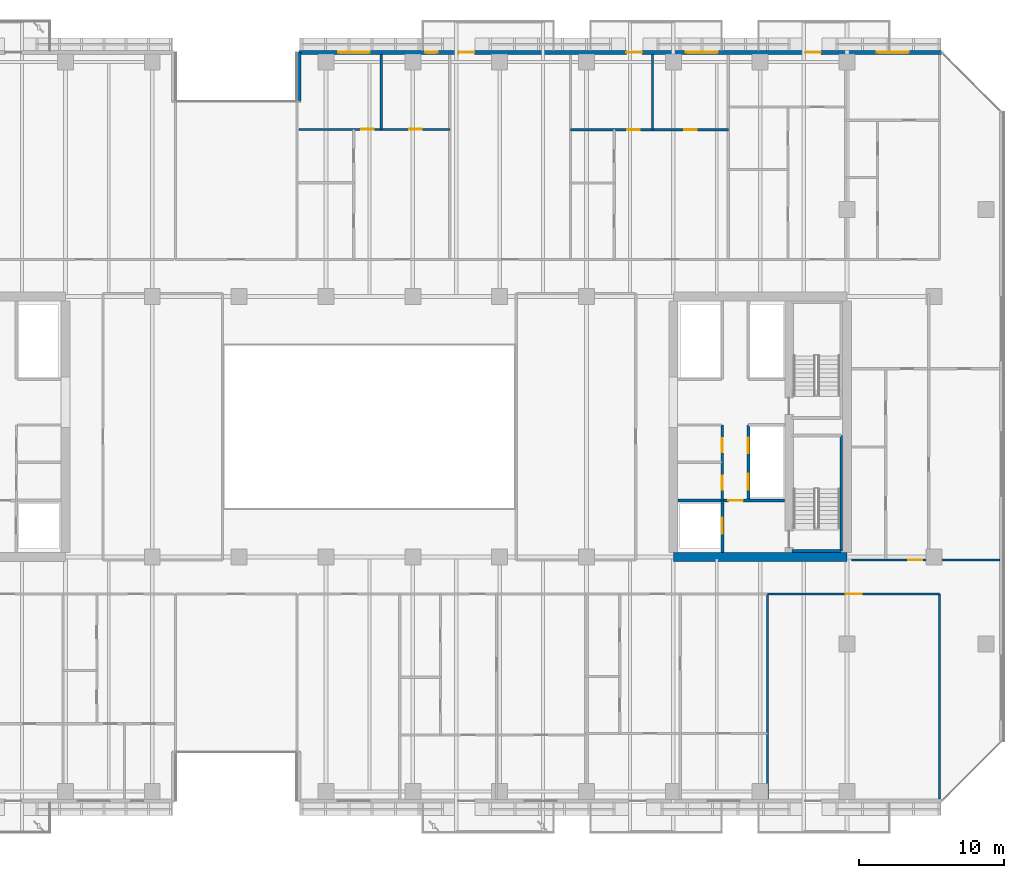
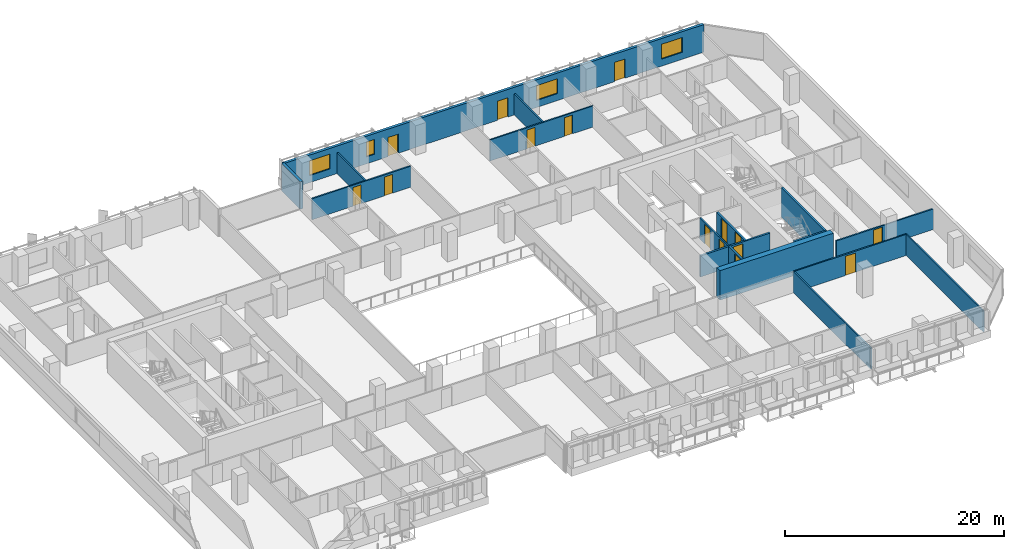
# One storey, part 23 of 34: 17 walls, 15 doors, 4 windows, 19 openings.
"""IFC4 building model written with IfcOpenShell, lengths in metres."""

from ifc_helpers import new_model, si_unit, direction, frame, frame_2d, origin, place, context, subcontext, project, spatial, rectangle, extrude, material, layer, layer_set, type_object, element, fill, save


model = new_model("IFC4")

# Units and contexts
model_context = context("Model", 3, precision=1e-05, world=origin(), true_north=direction((0.0, 1.0)))
body_context = subcontext(model_context, "Body", "Model", "MODEL_VIEW")
ifc_project = project(units=[si_unit("LENGTHUNIT", "METRE"), si_unit("AREAUNIT", "SQUARE_METRE"), si_unit("VOLUMEUNIT", "CUBIC_METRE"), si_unit("PLANEANGLEUNIT", "RADIAN"), si_unit("MASSUNIT", "GRAM", prefix="KILO")], contexts=[model_context])

# Site, building, storey
site_placement = place(None, origin())
site = spatial("IfcSite", under=ifc_project, at=site_placement, CompositionType="ELEMENT")
building_placement = place(site_placement, origin())
building = spatial("IfcBuilding", under=site, at=building_placement, Name="Tanjung Sevakor Pilgrim Tower", CompositionType="ELEMENT")
storey_placement = place(building_placement, frame((0.0, 0.0, 55.43994140625)))
storey = spatial("IfcBuildingStorey", under=building, at=storey_placement, Name="L15", CompositionType="ELEMENT", Elevation=55.43994140625)

# Wall
ifc_material_1 = material(Name="Concrete C60/75", Category="concrete")
ifc_layer_1 = layer(ifc_material_1, 0.60009765625)
ifc_layer_set_1 = layer_set([ifc_layer_1], Name="WALL-CW-600")
wall_type_1 = type_object("IfcWallType", Name="WALL-CW-600", PredefinedType="SHEAR", material=ifc_layer_set_1)
wall_1_placement = place(storey_placement, frame((78.0, 24.60009765625, 0.0), z_axis=(0.0, 0.0, 1.0), x_axis=(1.0, 0.0, 0.0)))
element("IfcWall", 1, at=wall_1_placement, inside=storey, type_object=wall_type_1, Name="L15 E Core South Shear Wall", PredefinedType="SHEAR", context=body_context, shape_type="SweptSolid", body=[
    extrude(rectangle(XDim=12.0, YDim=0.60009765625, at=frame_2d((6.0, 0.0))), origin(), (0.0, 0.0, 1.0), 3.300048828125),
])

# Wall, openings, doors
ifc_material_2 = material(Name="Concrete C40/50", Category="concrete")
ifc_layer_2 = layer(ifc_material_2, 0.14990234375)
ifc_layer_set_2 = layer_set([ifc_layer_2], Name="WT-COMP-150")
wall_type_2 = type_object("IfcWallType", Name="WT-COMP-150", PredefinedType="SOLIDWALL", material=ifc_layer_set_2)
wall_2_placement = place(storey_placement, frame((81.3798828125, 28.5, 0.0), z_axis=(0.0, 0.0, 1.0), x_axis=(0.0, 1.0, 0.0)))
wall_2 = element("IfcWall", 2, at=wall_2_placement, inside=storey, type_object=wall_type_2, Name="L15 Partition IW-L15-018", PredefinedType="SOLIDWALL", context=body_context, shape_type="SweptSolid", body=[
    extrude(rectangle(XDim=5.219970703125, YDim=0.14990234375, at=frame_2d((2.60986328125, 0.0))), origin(), (0.0, 0.0, 1.0), 2.35009765625),
])
opening_1_placement = place(wall_2_placement, frame((0.75, 0.0, 0.0)))
opening_1 = element("IfcOpeningElement", 3, at=opening_1_placement, cuts=wall_2, Name="Opening ID-FD2", PredefinedType="OPENING", context=body_context, shape_type="SweptSolid", body=[
    extrude(rectangle(XDim=0.949951171875, YDim=2.14990234375, at=frame_2d((0.47509765625, 1.074951171875))), frame((0.0, 0.0849609375, 0.0), z_axis=(0.0, -1.0, 0.0), x_axis=(1.0, 0.0, 0.0)), (0.0, 0.0, 1.0), 0.169921875),
])
opening_2_placement = place(wall_2_placement, frame((3.35009765625, 0.0, 0.0)))
opening_2 = element("IfcOpeningElement", 4, at=opening_2_placement, cuts=wall_2, Name="Opening ID-FD2", PredefinedType="OPENING", context=body_context, shape_type="SweptSolid", body=[
    extrude(rectangle(XDim=0.949951171875, YDim=2.14990234375, at=frame_2d((0.47509765625, 1.074951171875))), frame((0.0, 0.0849609375, 0.0), z_axis=(0.0, -1.0, 0.0), x_axis=(1.0, 0.0, 0.0)), (0.0, 0.0, 1.0), 0.169921875),
])
ifc_material_3 = material(Name="Fire-Rated Timber", Category="wood")
door_type_1 = type_object("IfcDoorType", Name="DT-FIRE-950", OperationType="NOTDEFINED", PredefinedType="DOOR", material=ifc_material_3)
door_1_placement = place(opening_1_placement, origin())
door_1 = element("IfcDoor", 5, at=door_1_placement, inside=storey, type_object=door_type_1, Name="L15 Accessible WC Door", OperationType="SINGLE_SWING_LEFT", OverallHeight=2.14990234375, OverallWidth=0.949951171875, PredefinedType="DOOR", context=body_context, shape_type="SweptSolid", body=[
    extrude(rectangle(XDim=0.949951171875, YDim=2.14990234375, at=frame_2d((0.47509765625, 1.074951171875))), frame((0.0, 0.02490234375, 0.0), z_axis=(0.0, -1.0, 0.0), x_axis=(1.0, 0.0, 0.0)), (0.0, 0.0, 1.0), 0.050048828125),
])
fill(opening_1, door_1)
door_2_placement = place(opening_2_placement, origin())
door_2 = element("IfcDoor", 6, at=door_2_placement, inside=storey, type_object=door_type_1, Name="L15 Core Service Door", OperationType="SINGLE_SWING_RIGHT", OverallHeight=2.14990234375, OverallWidth=0.949951171875, PredefinedType="DOOR", context=body_context, shape_type="SweptSolid", body=[
    extrude(rectangle(XDim=0.949951171875, YDim=2.14990234375, at=frame_2d((0.47509765625, 1.074951171875))), frame((0.0, 0.02490234375, 0.0), z_axis=(0.0, -1.0, 0.0), x_axis=(1.0, 0.0, 0.0)), (0.0, 0.0, 1.0), 0.050048828125),
])
fill(opening_2, door_2)

# Wall, opening, door
wall_3_placement = place(storey_placement, frame((90.320068359375, 24.39990234375, 0.0), z_axis=(0.0, 0.0, 1.0), x_axis=(1.0, 0.0, 0.0)))
wall_3 = element("IfcWall", 7, at=wall_3_placement, inside=storey, type_object=wall_type_2, Name="L15 Partition IW-L15-037", PredefinedType="SOLIDWALL", context=body_context, shape_type="SweptSolid", body=[
    extrude(rectangle(XDim=10.239990234375, YDim=0.14990234375, at=frame_2d((5.1201171875, 0.0))), origin(), (0.0, 0.0, 1.0), 2.295166015625),
])
opening_3_placement = place(wall_3_placement, frame((3.91259765625, 0.0, 0.0)))
opening_3 = element("IfcOpeningElement", 8, at=opening_3_placement, cuts=wall_3, Name="Opening ID-FD2", PredefinedType="OPENING", context=body_context, shape_type="SweptSolid", body=[
    extrude(rectangle(XDim=0.949951171875, YDim=2.14990234375, at=frame_2d((0.47509765625, 1.074951171875))), frame((0.0, 0.0849609375, 0.0), z_axis=(0.0, -1.0, 0.0), x_axis=(1.0, 0.0, 0.0)), (0.0, 0.0, 1.0), 0.169921875),
])
door_3_placement = place(opening_3_placement, origin())
door_3 = element("IfcDoor", 9, at=door_3_placement, inside=storey, type_object=door_type_1, Name="Suite Entrance", OperationType="SINGLE_SWING_LEFT", OverallHeight=2.14990234375, OverallWidth=0.949951171875, PredefinedType="DOOR", context=body_context, shape_type="SweptSolid", body=[
    extrude(rectangle(XDim=0.949951171875, YDim=2.14990234375, at=frame_2d((0.47509765625, 1.074951171875))), frame((0.0, 0.02490234375, 0.0), z_axis=(0.0, -1.0, 0.0), x_axis=(1.0, 0.0, 0.0)), (0.0, 0.0, 1.0), 0.050048828125),
])
fill(opening_3, door_3)

# Walls
for number, where, z_axis, x_axis, name in (
    (10, (96.39990234375, 7.8798828125, 0.0), (0.0, 0.0, 1.0), (0.0, 1.0, 0.0), "L15 Partition IW-L15-058"),
    (11, (84.50634765625, 7.8798828125, 0.0), (0.0, 0.0, 1.0), (0.0, 1.0, 0.0), "L15 Partition IW-L15-068"),
):
    element("IfcWall", number, at=place(storey_placement, frame(where, z_axis=z_axis, x_axis=x_axis)), inside=storey, type_object=wall_type_2, Name=name, PredefinedType="SOLIDWALL", context=body_context, shape_type="SweptSolid", body=[
        extrude(rectangle(XDim=14.170166015625, YDim=0.14990234375, at=frame_2d((7.0849609375, 0.0))), origin(), (0.0, 0.0, 1.0), 2.35009765625),
    ])

# Wall, opening, door
wall_4_placement = place(storey_placement, frame((84.50634765625, 22.050048828125, 0.0), z_axis=(0.0, 0.0, 1.0), x_axis=(1.0, 0.0, 0.0)))
wall_4 = element("IfcWall", 12, at=wall_4_placement, inside=storey, type_object=wall_type_2, Name="L15 Partition IW-L15-075", PredefinedType="SOLIDWALL", context=body_context, shape_type="SweptSolid", body=[
    extrude(rectangle(XDim=11.8935546875, YDim=0.14990234375, at=frame_2d((5.94677734375, 0.0))), origin(), (0.0, 0.0, 1.0), 2.35009765625),
])
opening_4_placement = place(wall_4_placement, frame((5.396728515625, 0.0, 0.0)))
opening_4 = element("IfcOpeningElement", 13, at=opening_4_placement, cuts=wall_4, Name="Opening ID-FD0", PredefinedType="OPENING", context=body_context, shape_type="SweptSolid", body=[
    extrude(rectangle(XDim=1.10009765625, YDim=2.14990234375, at=frame_2d((0.550048828125, 1.074951171875))), frame((0.0, 0.0849609375, 0.0), z_axis=(0.0, -1.0, 0.0), x_axis=(1.0, 0.0, 0.0)), (0.0, 0.0, 1.0), 0.169921875),
])
ifc_material_4 = material(Name="Fire-Rated Steel S355J2", Category="steel")
door_type_2 = type_object("IfcDoorType", Name="DT-FIRE-1100", OperationType="NOTDEFINED", PredefinedType="DOOR", material=ifc_material_4)
door_4_placement = place(opening_4_placement, origin())
door_4 = element("IfcDoor", 14, at=door_4_placement, inside=storey, type_object=door_type_2, Name="Communal Lounge Door", OperationType="SINGLE_SWING_RIGHT", OverallHeight=2.14990234375, OverallWidth=1.10009765625, PredefinedType="DOOR", context=body_context, shape_type="SweptSolid", body=[
    extrude(rectangle(XDim=1.10009765625, YDim=2.14990234375, at=frame_2d((0.550048828125, 1.074951171875))), frame((0.0, 0.02490234375, 0.0), z_axis=(0.0, -1.0, 0.0), x_axis=(1.0, 0.0, 0.0)), (0.0, 0.0, 1.0), 0.050048828125),
])
fill(opening_4, door_4)

# Wall, openings, doors, windows
ifc_material_5 = material(Name="Precast concrete C45/55", Category="concrete")
ifc_layer_3 = layer(ifc_material_5, 0.280029296875)
ifc_layer_set_3 = layer_set([ifc_layer_3], Name="WT-EW-STN2")
wall_type_3 = type_object("IfcWallType", Name="WT-EW-STN2", PredefinedType="SOLIDWALL", material=ifc_layer_set_3)
wall_5_placement = place(storey_placement, frame((96.5419921875, 59.4599609375, 0.0), z_axis=(0.0, 0.0, 1.0), x_axis=(-1.0, 0.0, 0.0)))
wall_5 = element("IfcWall", 15, at=wall_5_placement, inside=storey, type_object=wall_type_3, Name="L15 MAIN Exterior Wall 9", PredefinedType="SOLIDWALL", context=body_context, shape_type="SweptSolid", body=[
    extrude(rectangle(XDim=44.402099609375, YDim=0.280029296875, at=frame_2d((22.201171875, 0.0))), origin(), (0.0, 0.0, 1.0), 3.080078125),
])
opening_5_placement = place(wall_5_placement, frame((32.2919921875, 0.0, 0.0)))
opening_5 = element("IfcOpeningElement", 16, at=opening_5_placement, cuts=wall_5, Name="Opening ED-BAL-1100", PredefinedType="OPENING", context=body_context, shape_type="SweptSolid", body=[
    extrude(rectangle(XDim=1.10009765625, YDim=2.14990234375, at=frame_2d((0.550048828125, 1.074951171875))), frame((0.0, 0.14990234375, 0.0), z_axis=(0.0, -1.0, 0.0), x_axis=(1.0, 0.0, 0.0)), (0.0, 0.0, 1.0), 0.300048828125),
])
opening_6_placement = place(wall_5_placement, frame((20.69189453125, 0.0, 0.0)))
opening_6 = element("IfcOpeningElement", 17, at=opening_6_placement, cuts=wall_5, Name="Opening ED-BAL-1100", PredefinedType="OPENING", context=body_context, shape_type="SweptSolid", body=[
    extrude(rectangle(XDim=1.10009765625, YDim=2.14990234375, at=frame_2d((0.550048828125, 1.074951171875))), frame((0.0, 0.14990234375, 0.0), z_axis=(0.0, -1.0, 0.0), x_axis=(1.0, 0.0, 0.0)), (0.0, 0.0, 1.0), 0.300048828125),
])
opening_7_placement = place(wall_5_placement, frame((8.342041015625, 0.0, 0.0)))
opening_7 = element("IfcOpeningElement", 18, at=opening_7_placement, cuts=wall_5, Name="Opening ED-BAL-1100", PredefinedType="OPENING", context=body_context, shape_type="SweptSolid", body=[
    extrude(rectangle(XDim=1.10009765625, YDim=2.14990234375, at=frame_2d((0.550048828125, 1.074951171875))), frame((0.0, 0.14990234375, 0.0), z_axis=(0.0, -1.0, 0.0), x_axis=(1.0, 0.0, 0.0)), (0.0, 0.0, 1.0), 0.300048828125),
])
opening_8_placement = place(wall_5_placement, frame((39.501953125, 0.0, 0.780029296875)))
opening_8 = element("IfcOpeningElement", 19, at=opening_8_placement, cuts=wall_5, Name="Opening WN-Z1-1660", PredefinedType="OPENING", context=body_context, shape_type="SweptSolid", body=[
    extrude(rectangle(XDim=2.199951171875, YDim=1.659912109375, at=frame_2d((1.10009765625, 0.830078125))), frame((0.0, 0.14990234375, 0.0), z_axis=(0.0, -1.0, 0.0), x_axis=(1.0, 0.0, 0.0)), (0.0, 0.0, 1.0), 0.300048828125),
])
opening_9_placement = place(wall_5_placement, frame((34.82080078125, 0.0, 0.780029296875)))
opening_9 = element("IfcOpeningElement", 20, at=opening_9_placement, cuts=wall_5, Name="Opening WN-SLM", PredefinedType="OPENING", context=body_context, shape_type="SweptSolid", body=[
    extrude(rectangle(XDim=0.85009765625, YDim=1.64990234375, at=frame_2d((0.425048828125, 0.824951171875))), frame((0.0, 0.14990234375, 0.0), z_axis=(0.0, -1.0, 0.0), x_axis=(1.0, 0.0, 0.0)), (0.0, 0.0, 1.0), 0.300048828125),
])
opening_10_placement = place(wall_5_placement, frame((15.472412109375, 0.0, 0.780029296875)))
opening_10 = element("IfcOpeningElement", 21, at=opening_10_placement, cuts=wall_5, Name="Opening WN-Z1-1660", PredefinedType="OPENING", context=body_context, shape_type="SweptSolid", body=[
    extrude(rectangle(XDim=2.199951171875, YDim=1.659912109375, at=frame_2d((1.10009765625, 0.830078125))), frame((0.0, 0.14990234375, 0.0), z_axis=(0.0, -1.0, 0.0), x_axis=(1.0, 0.0, 0.0)), (0.0, 0.0, 1.0), 0.300048828125),
])
opening_11_placement = place(wall_5_placement, frame((2.28759765625, 0.0, 0.780029296875)))
opening_11 = element("IfcOpeningElement", 22, at=opening_11_placement, cuts=wall_5, Name="Opening WN-Z1-1660", PredefinedType="OPENING", context=body_context, shape_type="SweptSolid", body=[
    extrude(rectangle(XDim=2.199951171875, YDim=1.659912109375, at=frame_2d((1.10009765625, 0.830078125))), frame((0.0, 0.14990234375, 0.0), z_axis=(0.0, -1.0, 0.0), x_axis=(1.0, 0.0, 0.0)), (0.0, 0.0, 1.0), 0.300048828125),
])
ifc_material_6 = material(Name="Anodised Aluminium and Laminated Glass", Category="aluminium")
door_type_3 = type_object("IfcDoorType", Name="DTYP-ED-BAL-1100", OperationType="NOTDEFINED", PredefinedType="DOOR", material=ifc_material_6)
door_5_placement = place(opening_5_placement, frame((1.10009765625, 0.0, 0.0), z_axis=(0.0, 0.0, 1.0), x_axis=(-1.0, 0.0, 0.0)))
door_5 = element("IfcDoor", 23, at=door_5_placement, inside=storey, type_object=door_type_3, Name="L15 Balcony Door MAIN-N2", OperationType="SINGLE_SWING_RIGHT", OverallHeight=2.14990234375, OverallWidth=1.10009765625, PredefinedType="DOOR", context=body_context, shape_type="SweptSolid", body=[
    extrude(rectangle(XDim=1.10009765625, YDim=2.14990234375, at=frame_2d((0.550048828125, 1.074951171875))), frame((0.0, 0.02490234375, 0.0), z_axis=(0.0, -1.0, 0.0), x_axis=(1.0, 0.0, 0.0)), (0.0, 0.0, 1.0), 0.050048828125),
])
fill(opening_5, door_5)
door_6_placement = place(opening_6_placement, frame((1.10009765625, 0.0, 0.0), z_axis=(0.0, 0.0, 1.0), x_axis=(-1.0, 0.0, 0.0)))
door_6 = element("IfcDoor", 24, at=door_6_placement, inside=storey, type_object=door_type_3, Name="L15 Balcony Door MAIN-N3", OperationType="SINGLE_SWING_LEFT", OverallHeight=2.14990234375, OverallWidth=1.10009765625, PredefinedType="DOOR", context=body_context, shape_type="SweptSolid", body=[
    extrude(rectangle(XDim=1.10009765625, YDim=2.14990234375, at=frame_2d((0.550048828125, 1.074951171875))), frame((0.0, 0.02490234375, 0.0), z_axis=(0.0, -1.0, 0.0), x_axis=(1.0, 0.0, 0.0)), (0.0, 0.0, 1.0), 0.050048828125),
])
fill(opening_6, door_6)
door_7_placement = place(opening_7_placement, frame((1.10009765625, 0.0, 0.0), z_axis=(0.0, 0.0, 1.0), x_axis=(-1.0, 0.0, 0.0)))
door_7 = element("IfcDoor", 25, at=door_7_placement, inside=storey, type_object=door_type_3, Name="L15 Balcony Door MAIN-N4", OperationType="SINGLE_SWING_RIGHT", OverallHeight=2.14990234375, OverallWidth=1.10009765625, PredefinedType="DOOR", context=body_context, shape_type="SweptSolid", body=[
    extrude(rectangle(XDim=1.10009765625, YDim=2.14990234375, at=frame_2d((0.550048828125, 1.074951171875))), frame((0.0, 0.02490234375, 0.0), z_axis=(0.0, -1.0, 0.0), x_axis=(1.0, 0.0, 0.0)), (0.0, 0.0, 1.0), 0.050048828125),
])
fill(opening_7, door_7)
ifc_material_7 = material(Name="Thermally Broken Aluminium and Low-E Glass", Category="aluminium")
window_type_1 = type_object("IfcWindowType", Name="WTYP-WN-SLM", PartitioningType="SINGLE_PANEL", PredefinedType="WINDOW", material=ifc_material_7)
window_1_placement = place(opening_9_placement, origin())
window_1 = element("IfcWindow", 26, at=window_1_placement, inside=storey, type_object=window_type_1, Name="L15 Facade Window 02", OverallHeight=1.64990234375, OverallWidth=0.85009765625, PartitioningType="SINGLE_PANEL", PredefinedType="WINDOW", context=body_context, shape_type="SweptSolid", body=[
    extrude(rectangle(XDim=0.85009765625, YDim=1.64990234375, at=frame_2d((0.425048828125, 0.824951171875))), frame((0.0, 0.030029296875, 0.0), z_axis=(0.0, -1.0, 0.0), x_axis=(1.0, 0.0, 0.0)), (0.0, 0.0, 1.0), 0.06005859375),
])
fill(opening_9, window_1)
ifc_material_8 = material(Name="Thermally Broken Aluminium and Low-E Glass", Category="aluminium")
window_type_2 = type_object("IfcWindowType", Name="WTYP-WN-Z1-1660", PartitioningType="DOUBLE_PANEL_VERTICAL", PredefinedType="WINDOW", material=ifc_material_8)
window_2_placement = place(opening_8_placement, origin())
window_2 = element("IfcWindow", 27, at=window_2_placement, inside=storey, type_object=window_type_2, Name="L15 Facade Window 01", OverallHeight=1.659912109375, OverallWidth=2.199951171875, PartitioningType="SINGLE_PANEL", PredefinedType="WINDOW", context=body_context, shape_type="SweptSolid", body=[
    extrude(rectangle(XDim=2.199951171875, YDim=1.659912109375, at=frame_2d((1.10009765625, 0.830078125))), frame((0.0, 0.030029296875, 0.0), z_axis=(0.0, -1.0, 0.0), x_axis=(1.0, 0.0, 0.0)), (0.0, 0.0, 1.0), 0.06005859375),
])
fill(opening_8, window_2)
window_3_placement = place(opening_10_placement, origin())
window_3 = element("IfcWindow", 28, at=window_3_placement, inside=storey, type_object=window_type_2, Name="L15 Facade Window 03", OverallHeight=1.659912109375, OverallWidth=2.199951171875, PartitioningType="SINGLE_PANEL", PredefinedType="WINDOW", context=body_context, shape_type="SweptSolid", body=[
    extrude(rectangle(XDim=2.199951171875, YDim=1.659912109375, at=frame_2d((1.10009765625, 0.830078125))), frame((0.0, 0.030029296875, 0.0), z_axis=(0.0, -1.0, 0.0), x_axis=(1.0, 0.0, 0.0)), (0.0, 0.0, 1.0), 0.06005859375),
])
fill(opening_10, window_3)
window_4_placement = place(opening_11_placement, origin())
window_4 = element("IfcWindow", 29, at=window_4_placement, inside=storey, type_object=window_type_2, Name="L15 Facade Window 04", OverallHeight=1.659912109375, OverallWidth=2.199951171875, PartitioningType="SINGLE_PANEL", PredefinedType="WINDOW", context=body_context, shape_type="SweptSolid", body=[
    extrude(rectangle(XDim=2.199951171875, YDim=1.659912109375, at=frame_2d((1.10009765625, 0.830078125))), frame((0.0, 0.030029296875, 0.0), z_axis=(0.0, -1.0, 0.0), x_axis=(1.0, 0.0, 0.0)), (0.0, 0.0, 1.0), 0.06005859375),
])
fill(opening_11, window_4)

# Walls
wall_6_placement = place(storey_placement, frame((52.139892578125, 59.4599609375, 0.0), z_axis=(0.0, 0.0, 1.0), x_axis=(0.0, -1.0, 0.0)))
element("IfcWall", 30, at=wall_6_placement, inside=storey, type_object=wall_type_3, Name="L15 MAIN Exterior Wall 10", PredefinedType="SOLIDWALL", context=body_context, shape_type="SweptSolid", body=[
    extrude(rectangle(XDim=3.39990234375, YDim=0.280029296875, at=frame_2d((1.699951171875, 0.0))), origin(), (0.0, 0.0, 1.0), 3.080078125),
])
ifc_material_9 = material(Name="Concrete C40/50", Category="concrete")
ifc_layer_4 = layer(ifc_material_9, 0.199951171875)
ifc_layer_set_4 = layer_set([ifc_layer_4], Name="WT-FIRE-200")
wall_type_4 = type_object("IfcWallType", Name="WT-FIRE-200", PredefinedType="SOLIDWALL", material=ifc_layer_set_4)
wall_7_placement = place(storey_placement, frame((86.199951171875, 25.0, 0.0), z_axis=(0.0, 0.0, 1.0), x_axis=(1.0, 0.0, 0.0)))
element("IfcWall", 31, at=wall_7_placement, inside=storey, type_object=wall_type_4, Name="L15 TS-E1 Shaft Wall 1", PredefinedType="SOLIDWALL", context=body_context, shape_type="SweptSolid", body=[
    extrude(rectangle(XDim=3.400146484375, YDim=0.199951171875, at=frame_2d((1.7001953125, 0.0))), origin(), (0.0, 0.0, 1.0), 3.300048828125),
])
wall_8_placement = place(storey_placement, frame((89.60009765625, 25.0, 0.0), z_axis=(0.0, 0.0, 1.0), x_axis=(0.0, 1.0, 0.0)))
element("IfcWall", 32, at=wall_8_placement, inside=storey, type_object=wall_type_4, Name="L15 TS-E1 Shaft Wall 2", PredefinedType="SOLIDWALL", context=body_context, shape_type="SweptSolid", body=[
    extrude(rectangle(XDim=8.0, YDim=0.199951171875, at=frame_2d((4.0, 0.0))), origin(), (0.0, 0.0, 1.0), 3.300048828125),
])

# Wall, opening, door
ifc_material_10 = material(Name="Concrete C40/50", Category="concrete")
ifc_layer_5 = layer(ifc_material_10, 0.199951171875)
ifc_layer_set_5 = layer_set([ifc_layer_5], Name="WT-FPRT-200")
wall_type_5 = type_object("IfcWallType", Name="WT-FPRT-200", PredefinedType="SOLIDWALL", material=ifc_layer_set_5)
wall_9_placement = place(storey_placement, frame((81.39990234375, 24.919921875, 0.0), z_axis=(0.0, 0.0, 1.0), x_axis=(0.0, 1.0, 0.0)))
wall_9 = element("IfcWall", 33, at=wall_9_placement, inside=storey, type_object=wall_type_5, Name="L15 Partition IW-L15-012", PredefinedType="SOLIDWALL", context=body_context, shape_type="SweptSolid", body=[
    extrude(rectangle(XDim=3.580078125, YDim=0.199951171875, at=frame_2d((1.7900390625, 0.0))), origin(), (0.0, 0.0, 1.0), 2.35009765625),
])
opening_12_placement = place(wall_9_placement, frame((1.300048828125, 0.0, 0.0)))
opening_12 = element("IfcOpeningElement", 34, at=opening_12_placement, cuts=wall_9, Name="Opening LD-1100", PredefinedType="OPENING", context=body_context, shape_type="SweptSolid", body=[
    extrude(rectangle(XDim=1.10009765625, YDim=2.199951171875, at=frame_2d((0.550048828125, 1.10009765625))), frame((0.0, 0.10986328125, 0.0), z_axis=(0.0, -1.0, 0.0), x_axis=(1.0, 0.0, 0.0)), (0.0, 0.0, 1.0), 0.219970703125),
])
ifc_material_11 = material(Name="Brushed Stainless Steel S355J2", Category="steel")
door_type_4 = type_object("IfcDoorType", Name="DT-LIFT-1100", OperationType="SLIDING_TO_LEFT", PredefinedType="DOOR", material=ifc_material_11)
door_8_placement = place(opening_12_placement, origin())
door_8 = element("IfcDoor", 35, at=door_8_placement, inside=storey, type_object=door_type_4, Name="LD-FL-E", OperationType="SLIDING_TO_LEFT", OverallHeight=2.199951171875, OverallWidth=1.10009765625, PredefinedType="DOOR", context=body_context, shape_type="SweptSolid", body=[
    extrude(rectangle(XDim=1.10009765625, YDim=2.199951171875, at=frame_2d((0.550048828125, 1.10009765625))), frame((0.0, 0.02490234375, 0.0), z_axis=(0.0, -1.0, 0.0), x_axis=(1.0, 0.0, 0.0)), (0.0, 0.0, 1.0), 0.050048828125),
])
fill(opening_12, door_8)

wall_10_placement = place(storey_placement, frame((78.320068359375, 28.5, 0.0), z_axis=(0.0, 0.0, 1.0), x_axis=(1.0, 0.0, 0.0)))
wall_10 = element("IfcWall", 36, at=wall_10_placement, inside=storey, type_object=wall_type_5, Name="L15 Partition IW-L15-013", PredefinedType="SOLIDWALL", context=body_context, shape_type="SweptSolid", body=[
    extrude(rectangle(XDim=7.35986328125, YDim=0.199951171875, at=frame_2d((3.679931640625, 0.0))), origin(), (0.0, 0.0, 1.0), 2.35009765625),
])
opening_13_placement = place(wall_10_placement, frame((3.47998046875, 0.0, 0.0)))
opening_13 = element("IfcOpeningElement", 37, at=opening_13_placement, cuts=wall_10, Name="Opening ID-FD1", PredefinedType="OPENING", context=body_context, shape_type="SweptSolid", body=[
    extrude(rectangle(XDim=1.0, YDim=2.14990234375, at=frame_2d((0.5, 1.074951171875))), frame((0.0, 0.10986328125, 0.0), z_axis=(0.0, -1.0, 0.0), x_axis=(1.0, 0.0, 0.0)), (0.0, 0.0, 1.0), 0.219970703125),
])
ifc_material_12 = material(Name="Fire-Rated Steel S355J2", Category="steel")
door_type_5 = type_object("IfcDoorType", Name="DT-FIRE-1000", OperationType="NOTDEFINED", PredefinedType="DOOR", material=ifc_material_12)
door_9_placement = place(opening_13_placement, origin())
door_9 = element("IfcDoor", 38, at=door_9_placement, inside=storey, type_object=door_type_5, Name="Fire Lobby Door E", OperationType="SINGLE_SWING_RIGHT", OverallHeight=2.14990234375, OverallWidth=1.0, PredefinedType="DOOR", context=body_context, shape_type="SweptSolid", body=[
    extrude(rectangle(XDim=1.0, YDim=2.14990234375, at=frame_2d((0.5, 1.074951171875))), frame((0.0, 0.02490234375, 0.0), z_axis=(0.0, -1.0, 0.0), x_axis=(1.0, 0.0, 0.0)), (0.0, 0.0, 1.0), 0.050048828125),
])
fill(opening_13, door_9)

# Wall, openings, doors
wall_11_placement = place(storey_placement, frame((83.179931640625, 28.5, 0.0), z_axis=(0.0, 0.0, 1.0), x_axis=(0.0, 1.0, 0.0)))
wall_11 = element("IfcWall", 39, at=wall_11_placement, inside=storey, type_object=wall_type_5, Name="L15 Partition IW-L15-015", PredefinedType="SOLIDWALL", context=body_context, shape_type="SweptSolid", body=[
    extrude(rectangle(XDim=5.219970703125, YDim=0.199951171875, at=frame_2d((2.60986328125, 0.0))), origin(), (0.0, 0.0, 1.0), 2.35009765625),
])
opening_14_placement = place(wall_11_placement, frame((0.75, 0.0, 0.0)))
opening_14 = element("IfcOpeningElement", 40, at=opening_14_placement, cuts=wall_11, Name="Opening LD-1100", PredefinedType="OPENING", context=body_context, shape_type="SweptSolid", body=[
    extrude(rectangle(XDim=1.10009765625, YDim=2.199951171875, at=frame_2d((0.550048828125, 1.10009765625))), frame((0.0, 0.10986328125, 0.0), z_axis=(0.0, -1.0, 0.0), x_axis=(1.0, 0.0, 0.0)), (0.0, 0.0, 1.0), 0.219970703125),
])
opening_15_placement = place(wall_11_placement, frame((3.25, 0.0, 0.0)))
opening_15 = element("IfcOpeningElement", 41, at=opening_15_placement, cuts=wall_11, Name="Opening LD-1100", PredefinedType="OPENING", context=body_context, shape_type="SweptSolid", body=[
    extrude(rectangle(XDim=1.10009765625, YDim=2.199951171875, at=frame_2d((0.550048828125, 1.10009765625))), frame((0.0, 0.10986328125, 0.0), z_axis=(0.0, -1.0, 0.0), x_axis=(1.0, 0.0, 0.0)), (0.0, 0.0, 1.0), 0.219970703125),
])
door_10_placement = place(opening_14_placement, origin())
door_10 = element("IfcDoor", 42, at=door_10_placement, inside=storey, type_object=door_type_4, Name="LD-PLL1-E", OperationType="SLIDING_TO_LEFT", OverallHeight=2.199951171875, OverallWidth=1.10009765625, PredefinedType="DOOR", context=body_context, shape_type="SweptSolid", body=[
    extrude(rectangle(XDim=1.10009765625, YDim=2.199951171875, at=frame_2d((0.550048828125, 1.10009765625))), frame((0.0, 0.02490234375, 0.0), z_axis=(0.0, -1.0, 0.0), x_axis=(1.0, 0.0, 0.0)), (0.0, 0.0, 1.0), 0.050048828125),
])
fill(opening_14, door_10)
door_11_placement = place(opening_15_placement, origin())
door_11 = element("IfcDoor", 43, at=door_11_placement, inside=storey, type_object=door_type_4, Name="LD-PLL2-E", OperationType="SLIDING_TO_RIGHT", OverallHeight=2.199951171875, OverallWidth=1.10009765625, PredefinedType="DOOR", context=body_context, shape_type="SweptSolid", body=[
    extrude(rectangle(XDim=1.10009765625, YDim=2.199951171875, at=frame_2d((0.550048828125, 1.10009765625))), frame((0.0, 0.02490234375, 0.0), z_axis=(0.0, -1.0, 0.0), x_axis=(1.0, 0.0, 0.0)), (0.0, 0.0, 1.0), 0.050048828125),
])
fill(opening_15, door_11)

# Wall
ifc_material_13 = material(Name="Gypsum Board Partition", Category="gypsum board")
ifc_layer_6 = layer(ifc_material_13, 0.14990234375)
ifc_layer_set_6 = layer_set([ifc_layer_6], Name="WT-PART-150")
wall_type_6 = type_object("IfcWallType", Name="WT-PART-150", PredefinedType="PARTITIONING", material=ifc_layer_set_6)
wall_12_placement = place(storey_placement, frame((57.820068359375, 54.14453125, 0.0), z_axis=(0.0, 0.0, 1.0), x_axis=(0.0, 1.0, 0.0)))
element("IfcWall", 44, at=wall_12_placement, inside=storey, type_object=wall_type_6, Name="L15 Partition IW-L15-088", PredefinedType="PARTITIONING", context=body_context, shape_type="SweptSolid", body=[
    extrude(rectangle(XDim=5.175537109375, YDim=0.14990234375, at=frame_2d((2.587890625, 0.0))), origin(), (0.0, 0.0, 1.0), 2.35009765625),
])

# Wall, openings, doors
wall_13_placement = place(storey_placement, frame((52.1201171875, 54.14453125, 0.0), z_axis=(0.0, 0.0, 1.0), x_axis=(1.0, 0.0, 0.0)))
wall_13 = element("IfcWall", 45, at=wall_13_placement, inside=storey, type_object=wall_type_6, Name="L15 Partition IW-L15-089", PredefinedType="PARTITIONING", context=body_context, shape_type="SweptSolid", body=[
    extrude(rectangle(XDim=10.432373046875, YDim=0.14990234375, at=frame_2d((5.21630859375, 0.0))), origin(), (0.0, 0.0, 1.0), 2.35009765625),
])
opening_16_placement = place(wall_13_placement, frame((4.324951171875, 0.0, 0.0)))
opening_16 = element("IfcOpeningElement", 46, at=opening_16_placement, cuts=wall_13, Name="Opening ID-WC1", PredefinedType="OPENING", context=body_context, shape_type="SweptSolid", body=[
    extrude(rectangle(XDim=0.85009765625, YDim=2.10009765625, at=frame_2d((0.425048828125, 1.050048828125))), frame((0.0, 0.0849609375, 0.0), z_axis=(0.0, -1.0, 0.0), x_axis=(1.0, 0.0, 0.0)), (0.0, 0.0, 1.0), 0.169921875),
])
opening_17_placement = place(wall_13_placement, frame((7.641357421875, 0.0, 0.0)))
opening_17 = element("IfcOpeningElement", 47, at=opening_17_placement, cuts=wall_13, Name="Opening ID-WC1", PredefinedType="OPENING", context=body_context, shape_type="SweptSolid", body=[
    extrude(rectangle(XDim=0.85009765625, YDim=2.10009765625, at=frame_2d((0.425048828125, 1.050048828125))), frame((0.0, 0.0849609375, 0.0), z_axis=(0.0, -1.0, 0.0), x_axis=(1.0, 0.0, 0.0)), (0.0, 0.0, 1.0), 0.169921875),
])
ifc_material_14 = material(Name="Moisture-Resistant Timber", Category="wood")
door_type_6 = type_object("IfcDoorType", Name="DT-INT-850", OperationType="NOTDEFINED", PredefinedType="DOOR", material=ifc_material_14)
door_12_placement = place(opening_16_placement, origin())
door_12 = element("IfcDoor", 48, at=door_12_placement, inside=storey, type_object=door_type_6, Name="Suite Bedroom 1 Door", OperationType="SINGLE_SWING_LEFT", OverallHeight=2.10009765625, OverallWidth=0.85009765625, PredefinedType="DOOR", context=body_context, shape_type="SweptSolid", body=[
    extrude(rectangle(XDim=0.85009765625, YDim=2.10009765625, at=frame_2d((0.425048828125, 1.050048828125))), frame((0.0, 0.02490234375, 0.0), z_axis=(0.0, -1.0, 0.0), x_axis=(1.0, 0.0, 0.0)), (0.0, 0.0, 1.0), 0.050048828125),
])
fill(opening_16, door_12)
door_13_placement = place(opening_17_placement, origin())
door_13 = element("IfcDoor", 49, at=door_13_placement, inside=storey, type_object=door_type_6, Name="Suite Bedroom 2 Door", OperationType="SINGLE_SWING_RIGHT", OverallHeight=2.10009765625, OverallWidth=0.85009765625, PredefinedType="DOOR", context=body_context, shape_type="SweptSolid", body=[
    extrude(rectangle(XDim=0.85009765625, YDim=2.10009765625, at=frame_2d((0.425048828125, 1.050048828125))), frame((0.0, 0.02490234375, 0.0), z_axis=(0.0, -1.0, 0.0), x_axis=(1.0, 0.0, 0.0)), (0.0, 0.0, 1.0), 0.050048828125),
])
fill(opening_17, door_13)

# Wall
wall_14_placement = place(storey_placement, frame((76.564453125, 54.1201171875, 0.0), z_axis=(0.0, 0.0, 1.0), x_axis=(0.0, 1.0, 0.0)))
element("IfcWall", 50, at=wall_14_placement, inside=storey, type_object=wall_type_6, Name="L15 Partition IW-L15-096", PredefinedType="PARTITIONING", context=body_context, shape_type="SweptSolid", body=[
    extrude(rectangle(XDim=5.199951171875, YDim=0.14990234375, at=frame_2d((2.60009765625, 0.0))), origin(), (0.0, 0.0, 1.0), 2.35009765625),
])

# Wall, openings, doors
wall_15_placement = place(storey_placement, frame((70.8984375, 54.1201171875, 0.0), z_axis=(0.0, 0.0, 1.0), x_axis=(1.0, 0.0, 0.0)))
wall_15 = element("IfcWall", 51, at=wall_15_placement, inside=storey, type_object=wall_type_6, Name="L15 Partition IW-L15-097", PredefinedType="PARTITIONING", context=body_context, shape_type="SweptSolid", body=[
    extrude(rectangle(XDim=10.896240234375, YDim=0.14990234375, at=frame_2d((5.4482421875, 0.0))), origin(), (0.0, 0.0, 1.0), 2.35009765625),
])
opening_18_placement = place(wall_15_placement, frame((3.918701171875, 0.0, 0.0)))
opening_18 = element("IfcOpeningElement", 52, at=opening_18_placement, cuts=wall_15, Name="Opening ID-WC1", PredefinedType="OPENING", context=body_context, shape_type="SweptSolid", body=[
    extrude(rectangle(XDim=0.85009765625, YDim=2.10009765625, at=frame_2d((0.425048828125, 1.050048828125))), frame((0.0, 0.0849609375, 0.0), z_axis=(0.0, -1.0, 0.0), x_axis=(1.0, 0.0, 0.0)), (0.0, 0.0, 1.0), 0.169921875),
])
opening_19_placement = place(wall_15_placement, frame((7.856201171875, 0.0, 0.0)))
opening_19 = element("IfcOpeningElement", 53, at=opening_19_placement, cuts=wall_15, Name="Opening ID-WC1", PredefinedType="OPENING", context=body_context, shape_type="SweptSolid", body=[
    extrude(rectangle(XDim=0.85009765625, YDim=2.10009765625, at=frame_2d((0.425048828125, 1.050048828125))), frame((0.0, 0.0849609375, 0.0), z_axis=(0.0, -1.0, 0.0), x_axis=(1.0, 0.0, 0.0)), (0.0, 0.0, 1.0), 0.169921875),
])
door_14_placement = place(opening_18_placement, origin())
door_14 = element("IfcDoor", 54, at=door_14_placement, inside=storey, type_object=door_type_6, Name="Suite Bedroom 1 Door", OperationType="SINGLE_SWING_LEFT", OverallHeight=2.10009765625, OverallWidth=0.85009765625, PredefinedType="DOOR", context=body_context, shape_type="SweptSolid", body=[
    extrude(rectangle(XDim=0.85009765625, YDim=2.10009765625, at=frame_2d((0.425048828125, 1.050048828125))), frame((0.0, 0.02490234375, 0.0), z_axis=(0.0, -1.0, 0.0), x_axis=(1.0, 0.0, 0.0)), (0.0, 0.0, 1.0), 0.050048828125),
])
fill(opening_18, door_14)
door_15_placement = place(opening_19_placement, origin())
door_15 = element("IfcDoor", 55, at=door_15_placement, inside=storey, type_object=door_type_6, Name="Suite Bedroom 2 Door", OperationType="SINGLE_SWING_RIGHT", OverallHeight=2.10009765625, OverallWidth=0.85009765625, PredefinedType="DOOR", context=body_context, shape_type="SweptSolid", body=[
    extrude(rectangle(XDim=0.85009765625, YDim=2.10009765625, at=frame_2d((0.425048828125, 1.050048828125))), frame((0.0, 0.02490234375, 0.0), z_axis=(0.0, -1.0, 0.0), x_axis=(1.0, 0.0, 0.0)), (0.0, 0.0, 1.0), 0.050048828125),
])
fill(opening_19, door_15)

save(model, "model.ifc")
